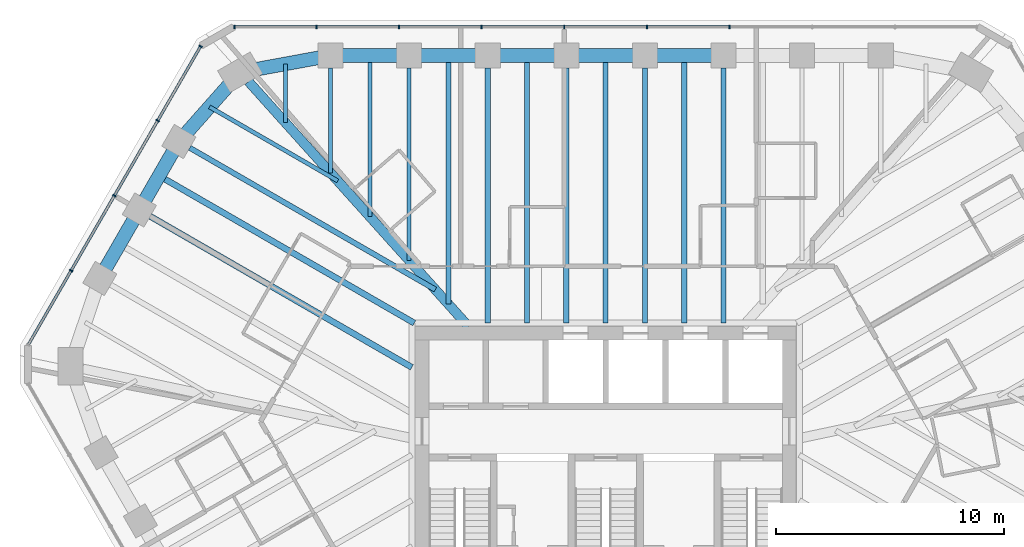
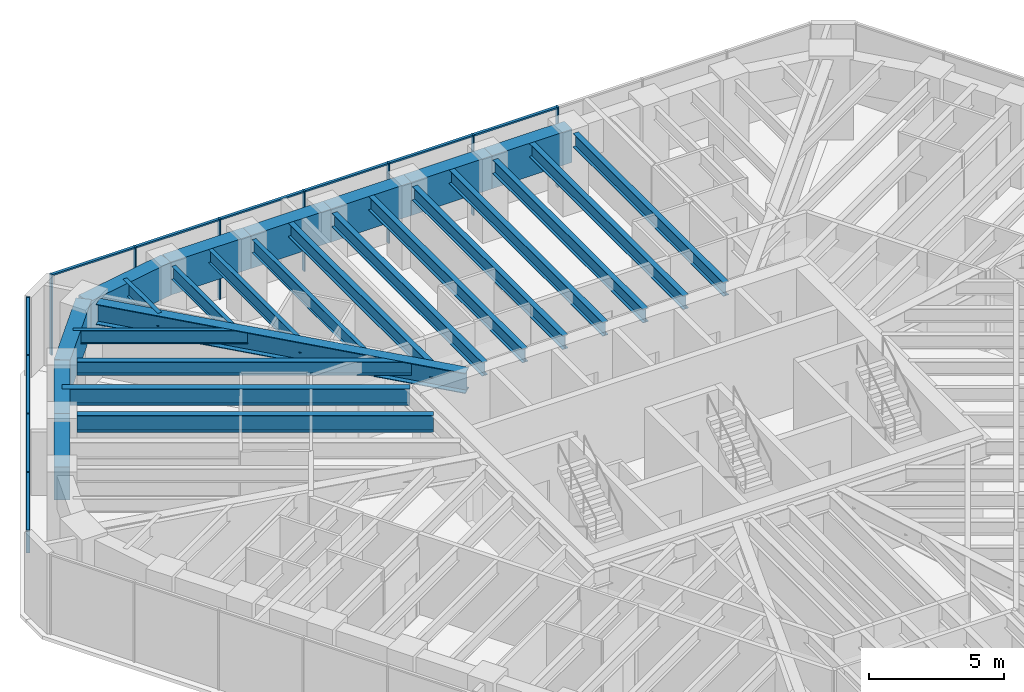
# One storey, part 6 of 14: 26 beams, 21 members, 2 elements without a shape of their own.
"""IFC4 building model written with IfcOpenShell, lengths in metres."""

from ifc_helpers import new_model, si_unit, direction, frame, origin, origin_2d, place, context, subcontext, project, spatial, rectangle, i_section, extrude, material, material_profile, profile_set, type_object, element, aggregate, save


model = new_model("IFC4")

# Units and contexts
model_context = context("Model", 3, precision=1e-05, world=origin(), true_north=direction((0.0, 1.0)))
body_context = subcontext(model_context, "Body", "Model", "MODEL_VIEW")
ifc_project = project(units=[si_unit("LENGTHUNIT", "METRE"), si_unit("AREAUNIT", "SQUARE_METRE"), si_unit("VOLUMEUNIT", "CUBIC_METRE"), si_unit("PLANEANGLEUNIT", "RADIAN"), si_unit("MASSUNIT", "GRAM", prefix="KILO")], contexts=[model_context])

# Site, building, storey
site_placement = place(None, origin())
site = spatial("IfcSite", under=ifc_project, at=site_placement, CompositionType="ELEMENT")
building_placement = place(site_placement, origin())
building = spatial("IfcBuilding", under=site, at=building_placement, Name="Sandreach Pilgrim Tower", CompositionType="ELEMENT")
storey_placement = place(building_placement, frame((0.0, 0.0, 260.800048828125)))
storey = spatial("IfcBuildingStorey", under=building, at=storey_placement, Name="L65", CompositionType="ELEMENT", Elevation=260.800048828125)

# Curtain wall, members
ifc_material_1 = material(Name="Aluminium framed curtain wall", Category="aluminium")
curtain_wall_type = type_object("IfcCurtainWallType", Name="Suite tower curtain wall", PredefinedType="NOTDEFINED", material=ifc_material_1)
curtain_wall_1_placement = place(storey_placement, origin())
curtain_wall_1 = element("IfcCurtainWall", 1, at=curtain_wall_1_placement, inside=storey, type_object=curtain_wall_type, Name="CW-4 L65 N", PredefinedType="NOTDEFINED")
ifc_material_2 = material(Name="Aluminium extrusion", Category="aluminium")
ifc_material_profile_1 = material_profile(ifc_material_2, rectangle(XDim=0.06005859375, YDim=0.159912109375, at=origin_2d()), Name="CW-4M 60X160")
ifc_profile_set_1 = profile_set([ifc_material_profile_1], Name="Aluminium extrusion")
member_type_1 = type_object("IfcMemberType", Name="CW-4 mullion", PredefinedType="MULLION", material=ifc_profile_set_1)
member_1_placement = place(storey_placement, frame((-16.268310546875, 19.826416015625, 0.0), z_axis=(0.0, 0.0, 1.0), x_axis=(1.0, 0.0, 0.0)))
member_1 = element("IfcMember", 2, at=member_1_placement, type_object=member_type_1, Name="CW-4 mullion 1", PredefinedType="MULLION", context=body_context, shape_type="SweptSolid", body=[
    extrude(rectangle(XDim=0.06005859375, YDim=0.159912109375, at=origin_2d()), origin(), (0.0, 0.0, 1.0), 3.639892578125),
])
member_2_placement = place(storey_placement, frame((-12.676513671875, 19.826416015625, 0.0), z_axis=(0.0, 0.0, 1.0), x_axis=(1.0, 0.0, 0.0)))
member_2 = element("IfcMember", 3, at=member_2_placement, type_object=member_type_1, Name="CW-4 mullion 2", PredefinedType="MULLION", context=body_context, shape_type="SweptSolid", body=[
    extrude(rectangle(XDim=0.06005859375, YDim=0.159912109375, at=origin_2d()), origin(), (0.0, 0.0, 1.0), 3.639892578125),
])
member_3_placement = place(storey_placement, frame((-9.0546875, 19.826416015625, 0.0), z_axis=(0.0, 0.0, 1.0), x_axis=(1.0, 0.0, 0.0)))
member_3 = element("IfcMember", 4, at=member_3_placement, type_object=member_type_1, Name="CW-4 mullion 3", PredefinedType="MULLION", context=body_context, shape_type="SweptSolid", body=[
    extrude(rectangle(XDim=0.06005859375, YDim=0.159912109375, at=origin_2d()), origin(), (0.0, 0.0, 1.0), 3.639892578125),
])
member_4_placement = place(storey_placement, frame((-5.432861328125, 19.826416015625, 0.0), z_axis=(0.0, 0.0, 1.0), x_axis=(1.0, 0.0, 0.0)))
member_4 = element("IfcMember", 5, at=member_4_placement, type_object=member_type_1, Name="CW-4 mullion 4", PredefinedType="MULLION", context=body_context, shape_type="SweptSolid", body=[
    extrude(rectangle(XDim=0.06005859375, YDim=0.159912109375, at=origin_2d()), origin(), (0.0, 0.0, 1.0), 3.639892578125),
])
member_5_placement = place(storey_placement, frame((-1.81103515625, 19.826416015625, 0.0), z_axis=(0.0, 0.0, 1.0), x_axis=(1.0, 0.0, 0.0)))
member_5 = element("IfcMember", 6, at=member_5_placement, type_object=member_type_1, Name="CW-4 mullion 5", PredefinedType="MULLION", context=body_context, shape_type="SweptSolid", body=[
    extrude(rectangle(XDim=0.06005859375, YDim=0.159912109375, at=origin_2d()), origin(), (0.0, 0.0, 1.0), 3.639892578125),
])
member_6_placement = place(storey_placement, frame((1.81103515625, 19.826416015625, 0.0), z_axis=(0.0, 0.0, 1.0), x_axis=(1.0, 0.0, 0.0)))
member_6 = element("IfcMember", 7, at=member_6_placement, type_object=member_type_1, Name="CW-4 mullion 6", PredefinedType="MULLION", context=body_context, shape_type="SweptSolid", body=[
    extrude(rectangle(XDim=0.06005859375, YDim=0.159912109375, at=origin_2d()), origin(), (0.0, 0.0, 1.0), 3.639892578125),
])
member_7_placement = place(storey_placement, frame((5.432861328125, 19.826416015625, 0.0), z_axis=(0.0, 0.0, 1.0), x_axis=(1.0, 0.0, 0.0)))
member_7 = element("IfcMember", 8, at=member_7_placement, type_object=member_type_1, Name="CW-4 mullion 7", PredefinedType="MULLION", context=body_context, shape_type="SweptSolid", body=[
    extrude(rectangle(XDim=0.06005859375, YDim=0.159912109375, at=origin_2d()), origin(), (0.0, 0.0, 1.0), 3.639892578125),
])

curtain_wall_2_placement = place(storey_placement, origin())
curtain_wall_2 = element("IfcCurtainWall", 9, at=curtain_wall_2_placement, inside=storey, type_object=curtain_wall_type, Name="CW-4 L65 NW", PredefinedType="NOTDEFINED")
member_8_placement = place(storey_placement, frame((-23.423583984375, 9.145263671875, 0.0), z_axis=(0.0, 0.0, 1.0), x_axis=(0.5, 0.866025403784, 0.0)))
member_8 = element("IfcMember", 10, at=member_8_placement, type_object=member_type_1, Name="CW-4 mullion 2", PredefinedType="MULLION", context=body_context, shape_type="SweptSolid", body=[
    extrude(rectangle(XDim=0.06005859375, YDim=0.159912109375, at=origin_2d()), origin(), (0.0, 0.0, 1.0), 3.639892578125),
])
member_9_placement = place(storey_placement, frame((-21.527587890625, 12.428955078125, 0.0), z_axis=(0.0, 0.0, 1.0), x_axis=(0.5, 0.866025403784, 0.0)))
member_9 = element("IfcMember", 11, at=member_9_placement, type_object=member_type_1, Name="CW-4 mullion 3", PredefinedType="MULLION", context=body_context, shape_type="SweptSolid", body=[
    extrude(rectangle(XDim=0.06005859375, YDim=0.159912109375, at=origin_2d()), origin(), (0.0, 0.0, 1.0), 3.639892578125),
])
member_10_placement = place(storey_placement, frame((-19.6318359375, 15.712646484375, 0.0), z_axis=(0.0, 0.0, 1.0), x_axis=(0.5, 0.866025403784, 0.0)))
member_10 = element("IfcMember", 12, at=member_10_placement, type_object=member_type_1, Name="CW-4 mullion 4", PredefinedType="MULLION", context=body_context, shape_type="SweptSolid", body=[
    extrude(rectangle(XDim=0.06005859375, YDim=0.159912109375, at=origin_2d()), origin(), (0.0, 0.0, 1.0), 3.639892578125),
])
member_11_placement = place(storey_placement, frame((-17.7509765625, 18.970458984375, 0.0), z_axis=(0.0, 0.0, 1.0), x_axis=(0.5, 0.866025403784, 0.0)))
member_11 = element("IfcMember", 13, at=member_11_placement, type_object=member_type_1, Name="CW-4 mullion 5", PredefinedType="MULLION", context=body_context, shape_type="SweptSolid", body=[
    extrude(rectangle(XDim=0.06005859375, YDim=0.159912109375, at=origin_2d()), origin(), (0.0, 0.0, 1.0), 3.639892578125),
])

# Member
ifc_material_3 = material(Name="Aluminium extrusion", Category="aluminium")
ifc_material_profile_2 = material_profile(ifc_material_3, rectangle(XDim=0.1201171875, YDim=0.070068359375, at=origin_2d()), Name="CW-4T 120X70")
ifc_profile_set_2 = profile_set([ifc_material_profile_2], Name="Aluminium extrusion")
member_type_2 = type_object("IfcMemberType", Name="CW-4 transom", PredefinedType="USERDEFINED", material=ifc_profile_set_2)
member_12_placement = place(storey_placement, frame((-16.23828125, 19.826416015625, 3.60498046875), z_axis=(1.0, 0.0, 0.0), x_axis=(0.0, 1.0, 0.0)))
member_12 = element("IfcMember", 14, at=member_12_placement, type_object=member_type_2, Name="CW-4 head transom 1", ObjectType="TRANSOM", PredefinedType="USERDEFINED", context=body_context, shape_type="SweptSolid", body=[
    extrude(rectangle(XDim=0.1201171875, YDim=0.070068359375, at=origin_2d()), origin(), (0.0, 0.0, 1.0), 3.53173828125),
])

member_13_placement = place(storey_placement, frame((-12.646484375, 19.826416015625, 3.60498046875), z_axis=(1.0, 0.0, 0.0), x_axis=(0.0, 1.0, 0.0)))
member_13 = element("IfcMember", 15, at=member_13_placement, type_object=member_type_2, Name="CW-4 head transom 2", ObjectType="TRANSOM", PredefinedType="USERDEFINED", context=body_context, shape_type="SweptSolid", body=[
    extrude(rectangle(XDim=0.1201171875, YDim=0.070068359375, at=origin_2d()), origin(), (0.0, 0.0, 1.0), 3.561767578125),
])

member_14_placement = place(storey_placement, frame((-9.024658203125, 19.826416015625, 3.60498046875), z_axis=(1.0, 0.0, 0.0), x_axis=(0.0, 1.0, 0.0)))
member_14 = element("IfcMember", 16, at=member_14_placement, type_object=member_type_2, Name="CW-4 head transom 3", ObjectType="TRANSOM", PredefinedType="USERDEFINED", context=body_context, shape_type="SweptSolid", body=[
    extrude(rectangle(XDim=0.1201171875, YDim=0.070068359375, at=origin_2d()), origin(), (0.0, 0.0, 1.0), 3.561767578125),
])

member_15_placement = place(storey_placement, frame((-5.40283203125, 19.826416015625, 3.60498046875), z_axis=(1.0, 0.0, 0.0), x_axis=(0.0, 1.0, 0.0)))
member_15 = element("IfcMember", 17, at=member_15_placement, type_object=member_type_2, Name="CW-4 head transom 4", ObjectType="TRANSOM", PredefinedType="USERDEFINED", context=body_context, shape_type="SweptSolid", body=[
    extrude(rectangle(XDim=0.1201171875, YDim=0.070068359375, at=origin_2d()), origin(), (0.0, 0.0, 1.0), 3.56201171875),
])

member_16_placement = place(storey_placement, frame((-1.781005859375, 19.826416015625, 3.60498046875), z_axis=(1.0, 0.0, 0.0), x_axis=(0.0, 1.0, 0.0)))
member_16 = element("IfcMember", 18, at=member_16_placement, type_object=member_type_2, Name="CW-4 head transom 5", ObjectType="TRANSOM", PredefinedType="USERDEFINED", context=body_context, shape_type="SweptSolid", body=[
    extrude(rectangle(XDim=0.1201171875, YDim=0.070068359375, at=origin_2d()), origin(), (0.0, 0.0, 1.0), 3.56201171875),
])

member_17_placement = place(storey_placement, frame((1.8408203125, 19.826416015625, 3.60498046875), z_axis=(1.0, 0.0, 0.0), x_axis=(0.0, 1.0, 0.0)))
member_17 = element("IfcMember", 19, at=member_17_placement, type_object=member_type_2, Name="CW-4 head transom 6", ObjectType="TRANSOM", PredefinedType="USERDEFINED", context=body_context, shape_type="SweptSolid", body=[
    extrude(rectangle(XDim=0.1201171875, YDim=0.070068359375, at=origin_2d()), origin(), (0.0, 0.0, 1.0), 3.56201171875),
])

aggregate(curtain_wall_1, [member_1, member_2, member_3, member_4, member_5, member_6, member_7, member_12, member_13, member_14, member_15, member_16, member_17])

member_18_placement = place(storey_placement, frame((-25.289306640625, 5.91357421875, 3.60498046875), z_axis=(0.499990780478, 0.866030726613, 0.0), x_axis=(-0.866030726613, 0.499990780478, 0.0)))
member_18 = element("IfcMember", 20, at=member_18_placement, type_object=member_type_2, Name="CW-4 head transom 1", ObjectType="TRANSOM", PredefinedType="USERDEFINED", context=body_context, shape_type="SweptSolid", body=[
    extrude(rectangle(XDim=0.1201171875, YDim=0.070068359375, at=origin_2d()), origin(), (0.0, 0.0, 1.0), 3.70166015625),
])

member_19_placement = place(storey_placement, frame((-23.408447265625, 9.17138671875, 3.60498046875), z_axis=(0.499981083104, 0.866036325184, 0.0), x_axis=(-0.866036325184, 0.499981083104, 0.0)))
member_19 = element("IfcMember", 21, at=member_19_placement, type_object=member_type_2, Name="CW-4 head transom 2", ObjectType="TRANSOM", PredefinedType="USERDEFINED", context=body_context, shape_type="SweptSolid", body=[
    extrude(rectangle(XDim=0.1201171875, YDim=0.070068359375, at=origin_2d()), origin(), (0.0, 0.0, 1.0), 3.731689453125),
])

member_20_placement = place(storey_placement, frame((-21.5126953125, 12.455078125, 3.60498046875), z_axis=(0.500030151002, 0.866007995396, 0.0), x_axis=(-0.866007995396, 0.500030151002, 0.0)))
member_20 = element("IfcMember", 22, at=member_20_placement, type_object=member_type_2, Name="CW-4 head transom 3", ObjectType="TRANSOM", PredefinedType="USERDEFINED", context=body_context, shape_type="SweptSolid", body=[
    extrude(rectangle(XDim=0.1201171875, YDim=0.070068359375, at=origin_2d()), origin(), (0.0, 0.0, 1.0), 3.731689453125),
])

member_21_placement = place(storey_placement, frame((-19.616943359375, 15.73876953125, 3.60498046875), z_axis=(0.499990780478, 0.866030726613, 0.0), x_axis=(-0.866030726613, 0.499990780478, 0.0)))
member_21 = element("IfcMember", 23, at=member_21_placement, type_object=member_type_2, Name="CW-4 head transom 4", ObjectType="TRANSOM", PredefinedType="USERDEFINED", context=body_context, shape_type="SweptSolid", body=[
    extrude(rectangle(XDim=0.1201171875, YDim=0.070068359375, at=origin_2d()), origin(), (0.0, 0.0, 1.0), 3.70166015625),
])

aggregate(curtain_wall_2, [member_8, member_9, member_10, member_11, member_18, member_19, member_20, member_21])

# Beams
ifc_material_4 = material(Name="Steel ASTM A992 Grade 50", Category="steel")
ifc_material_profile_3 = material_profile(ifc_material_4, i_section(OverallWidth=0.419189453125, OverallDepth=0.927001953125, WebThickness=0.019287109375, FlangeThickness=0.031982421875, at=origin_2d()), Name="W36X231")
ifc_profile_set_3 = profile_set([ifc_material_profile_3], Name="Steel ASTM A992 Grade 50")
beam_type_1 = type_object("IfcBeamType", Name="Corner girder W36X231", PredefinedType="BEAM", material=ifc_profile_set_3)
beam_1_placement = place(storey_placement, frame((-15.649169921875, 17.427978515625, 3.176513671875), z_axis=(0.668114851597, -0.74405815974, 0.0), x_axis=(0.74405815974, 0.668114851597, 0.0)))
element("IfcBeam", 24, at=beam_1_placement, inside=storey, type_object=beam_type_1, Name="BM L65 CG39", PredefinedType="BEAM", context=body_context, shape_type="SweptSolid", body=[
    extrude(i_section(OverallWidth=0.419189453125, OverallDepth=0.927001953125, WebThickness=0.019287109375, FlangeThickness=0.031982421875, at=origin_2d()), origin(), (0.0, 0.0, 1.0), 14.418212890625),
])
ifc_material_5 = material(Name="Steel ASTM A992 Grade 50", Category="steel")
ifc_material_profile_4 = material_profile(ifc_material_5, i_section(OverallWidth=0.1787109375, OverallDepth=0.60205078125, WebThickness=0.010986328125, FlangeThickness=0.014892578125, at=origin_2d()), Name="W24X62")
ifc_profile_set_4 = profile_set([ifc_material_profile_4], Name="Steel ASTM A992 Grade 50")
beam_type_2 = type_object("IfcBeamType", Name="Floor beam W24X62", PredefinedType="BEAM", material=ifc_profile_set_4)
beam_2_placement = place(storey_placement, frame((-12.0576171875, 18.016357421875, 3.3388671875), z_axis=(0.0, -1.0, 0.0), x_axis=(1.0, 0.0, 0.0)))
element("IfcBeam", 25, at=beam_2_placement, inside=storey, type_object=beam_type_2, Name="BM L65 F01", PredefinedType="BEAM", context=body_context, shape_type="SweptSolid", body=[
    extrude(i_section(OverallWidth=0.1787109375, OverallDepth=0.60205078125, WebThickness=0.010986328125, FlangeThickness=0.014892578125, at=origin_2d()), origin(), (0.0, 0.0, 1.0), 4.58837890625),
])
beam_3_placement = place(storey_placement, frame((-8.612548828125, 18.016357421875, 3.3388671875), z_axis=(0.0, -1.0, 0.0), x_axis=(1.0, 0.0, 0.0)))
element("IfcBeam", 26, at=beam_3_placement, inside=storey, type_object=beam_type_2, Name="BM L65 F02", PredefinedType="BEAM", context=body_context, shape_type="SweptSolid", body=[
    extrude(i_section(OverallWidth=0.1787109375, OverallDepth=0.60205078125, WebThickness=0.010986328125, FlangeThickness=0.014892578125, at=origin_2d()), origin(), (0.0, 0.0, 1.0), 8.4248046875),
])
beam_4_placement = place(storey_placement, frame((-10.3349609375, 18.56640625, 3.3388671875), z_axis=(0.0, -1.0, 0.0), x_axis=(1.0, 0.0, 0.0)))
element("IfcBeam", 27, at=beam_4_placement, inside=storey, type_object=beam_type_2, Name="BM L65 FM01", PredefinedType="BEAM", context=body_context, shape_type="SweptSolid", body=[
    extrude(i_section(OverallWidth=0.1787109375, OverallDepth=0.60205078125, WebThickness=0.010986328125, FlangeThickness=0.014892578125, at=origin_2d()), origin(), (0.0, 0.0, 1.0), 7.056640625),
])
beam_5_placement = place(storey_placement, frame((-17.360107421875, 16.31884765625, 3.3388671875), z_axis=(0.866023980233, -0.500002465655, 0.0), x_axis=(0.500002465655, 0.866023980233, 0.0)))
element("IfcBeam", 28, at=beam_5_placement, inside=storey, type_object=beam_type_2, Name="BM L65 FM38", PredefinedType="BEAM", context=body_context, shape_type="SweptSolid", body=[
    extrude(i_section(OverallWidth=0.1787109375, OverallDepth=0.60205078125, WebThickness=0.010986328125, FlangeThickness=0.014892578125, at=origin_2d()), origin(), (0.0, 0.0, 1.0), 6.49072265625),
])
beam_6_placement = place(storey_placement, frame((-14.037109375, 18.201904296875, 3.3388671875), z_axis=(0.0, -1.0, 0.0), x_axis=(1.0, 0.0, 0.0)))
element("IfcBeam", 29, at=beam_6_placement, inside=storey, type_object=beam_type_2, Name="BM L65 FM39", PredefinedType="BEAM", context=body_context, shape_type="SweptSolid", body=[
    extrude(i_section(OverallWidth=0.1787109375, OverallDepth=0.60205078125, WebThickness=0.010986328125, FlangeThickness=0.014892578125, at=origin_2d()), origin(), (0.0, 0.0, 1.0), 2.5693359375),
])
ifc_material_6 = material(Name="Steel ASTM A992 Grade 50", Category="steel")
ifc_material_profile_5 = material_profile(ifc_material_6, i_section(OverallWidth=0.23046875, OverallDepth=0.6171875, WebThickness=0.01318359375, FlangeThickness=0.022216796875, at=origin_2d()), Name="W24X94")
ifc_profile_set_5 = profile_set([ifc_material_profile_5], Name="Steel ASTM A992 Grade 50")
beam_type_3 = type_object("IfcBeamType", Name="Floor beam W24X94", PredefinedType="BEAM", material=ifc_profile_set_5)
for number, where, z_axis, x_axis, name in (
    (30, (-5.16748046875, 18.016357421875, 3.331298828125), (0.0, -1.0, 0.0), (1.0, 0.0, 0.0), "BM L65 F03"),
    (31, (-1.722412109375, 18.016357421875, 3.331298828125), (0.0, -1.0, 0.0), (1.0, 0.0, 0.0), "BM L65 F04"),
    (32, (1.722412109375, 18.016357421875, 3.331298828125), (0.0, -1.0, 0.0), (1.0, 0.0, 0.0), "BM L65 F05"),
    (33, (5.16748046875, 18.016357421875, 3.331298828125), (0.0, -1.0, 0.0), (1.0, 0.0, 0.0), "BM L65 F06"),
):
    element("IfcBeam", number, at=place(storey_placement, frame(where, z_axis=z_axis, x_axis=x_axis)), inside=storey, type_object=beam_type_3, Name=name, PredefinedType="BEAM", context=body_context, shape_type="SweptSolid", body=[
        extrude(i_section(OverallWidth=0.23046875, OverallDepth=0.6171875, WebThickness=0.01318359375, FlangeThickness=0.022216796875, at=origin_2d()), origin(), (0.0, 0.0, 1.0), 11.173095703125),
    ])
beam_7_placement = place(storey_placement, frame((-18.227294921875, 14.525390625, 3.331298828125), z_axis=(0.866020427415, -0.500008619226, 0.0), x_axis=(0.500008619226, 0.866020427415, 0.0)))
element("IfcBeam", 34, at=beam_7_placement, inside=storey, type_object=beam_type_3, Name="BM L65 F38", PredefinedType="BEAM", context=body_context, shape_type="SweptSolid", body=[
    extrude(i_section(OverallWidth=0.23046875, OverallDepth=0.6171875, WebThickness=0.01318359375, FlangeThickness=0.022216796875, at=origin_2d()), origin(), (0.0, 0.0, 1.0), 12.431396484375),
])
beam_8_placement = place(storey_placement, frame((-6.89013671875, 18.56640625, 3.331298828125), z_axis=(0.0, -1.0, 0.0), x_axis=(1.0, 0.0, 0.0)))
element("IfcBeam", 35, at=beam_8_placement, inside=storey, type_object=beam_type_3, Name="BM L65 FM02", PredefinedType="BEAM", context=body_context, shape_type="SweptSolid", body=[
    extrude(i_section(OverallWidth=0.23046875, OverallDepth=0.6171875, WebThickness=0.01318359375, FlangeThickness=0.022216796875, at=origin_2d()), origin(), (0.0, 0.0, 1.0), 10.893310546875),
])
for number, where, z_axis, x_axis, name in (
    (36, (-3.445068359375, 18.56640625, 3.331298828125), (0.0, -1.0, 0.0), (1.0, 0.0, 0.0), "BM L65 FM03"),
    (37, (0.0, 18.56640625, 3.331298828125), (0.0, -1.0, 0.0), (1.0, 0.0, 0.0), "BM L65 FM04"),
    (38, (3.445068359375, 18.56640625, 3.331298828125), (0.0, -1.0, 0.0), (1.0, 0.0, 0.0), "BM L65 FM05"),
):
    element("IfcBeam", number, at=place(storey_placement, frame(where, z_axis=z_axis, x_axis=x_axis)), inside=storey, type_object=beam_type_3, Name=name, PredefinedType="BEAM", context=body_context, shape_type="SweptSolid", body=[
        extrude(i_section(OverallWidth=0.23046875, OverallDepth=0.6171875, WebThickness=0.01318359375, FlangeThickness=0.022216796875, at=origin_2d()), origin(), (0.0, 0.0, 1.0), 11.72314453125),
    ])
ifc_material_7 = material(Name="Steel ASTM A992 Grade 50", Category="steel")
ifc_material_profile_6 = material_profile(ifc_material_7, i_section(OverallWidth=0.2666015625, OverallDepth=0.761962890625, WebThickness=0.014404296875, FlangeThickness=0.021484375, at=origin_2d()), Name="W30X116")
ifc_profile_set_6 = profile_set([ifc_material_profile_6], Name="Steel ASTM A992 Grade 50")
beam_type_4 = type_object("IfcBeamType", Name="Floor beam W30X116", PredefinedType="BEAM", material=ifc_profile_set_6)
beam_9_placement = place(storey_placement, frame((-19.960205078125, 11.52392578125, 3.259033203125), z_axis=(0.86602530353, -0.500000173646, 0.0), x_axis=(0.500000173646, 0.86602530353, 0.0)))
element("IfcBeam", 39, at=beam_9_placement, inside=storey, type_object=beam_type_4, Name="BM L65 F37", PredefinedType="BEAM", context=body_context, shape_type="SweptSolid", body=[
    extrude(i_section(OverallWidth=0.2666015625, OverallDepth=0.761962890625, WebThickness=0.014404296875, FlangeThickness=0.021484375, at=origin_2d()), origin(), (0.0, 0.0, 1.0), 13.24072265625),
])
beam_10_placement = place(storey_placement, frame((-19.570068359375, 13.299560546875, 3.259033203125), z_axis=(0.866025008595, -0.500000684488, 0.0), x_axis=(0.500000684488, 0.866025008595, 0.0)))
element("IfcBeam", 40, at=beam_10_placement, inside=storey, type_object=beam_type_4, Name="BM L65 FM37", PredefinedType="BEAM", context=body_context, shape_type="SweptSolid", body=[
    extrude(i_section(OverallWidth=0.2666015625, OverallDepth=0.761962890625, WebThickness=0.014404296875, FlangeThickness=0.021484375, at=origin_2d()), origin(), (0.0, 0.0, 1.0), 12.91259765625),
])
ifc_material_8 = material(Name="Concrete 10000 psi", Category="concrete")
ifc_material_profile_7 = material_profile(ifc_material_8, rectangle(XDim=0.60009765625, YDim=1.5, at=origin_2d()), Name="RC600X1500")
ifc_profile_set_7 = profile_set([ifc_material_profile_7], Name="Concrete 10000 psi")
beam_type_5 = type_object("IfcBeamType", Name="Spandrel beam RC600X1500", PredefinedType="SPANDREL", material=ifc_profile_set_7)
for number, where, z_axis, x_axis, name in (
    (41, (-12.0576171875, 18.56640625, 2.889892578125), (1.0, 0.0, 0.0), (0.0, 1.0, 0.0), "BM L65 SP01"),
    (42, (-8.612548828125, 18.56640625, 2.889892578125), (1.0, 0.0, 0.0), (0.0, 1.0, 0.0), "BM L65 SP02"),
    (43, (-5.16748046875, 18.56640625, 2.889892578125), (1.0, 0.0, 0.0), (0.0, 1.0, 0.0), "BM L65 SP03"),
):
    element("IfcBeam", number, at=place(storey_placement, frame(where, z_axis=z_axis, x_axis=x_axis)), inside=storey, type_object=beam_type_5, Name=name, PredefinedType="SPANDREL", context=body_context, shape_type="SweptSolid", body=[
        extrude(rectangle(XDim=0.60009765625, YDim=1.5, at=origin_2d()), origin(), (0.0, 0.0, 1.0), 3.445068359375),
    ])
beam_11_placement = place(storey_placement, frame((-1.722412109375, 18.56640625, 2.889892578125), z_axis=(1.0, 0.0, 0.0), x_axis=(0.0, 1.0, 0.0)))
element("IfcBeam", 44, at=beam_11_placement, inside=storey, type_object=beam_type_5, Name="BM L65 SP04", PredefinedType="SPANDREL", context=body_context, shape_type="SweptSolid", body=[
    extrude(rectangle(XDim=0.60009765625, YDim=1.5, at=origin_2d()), origin(), (0.0, 0.0, 1.0), 3.44482421875),
])
beam_12_placement = place(storey_placement, frame((1.722412109375, 18.56640625, 2.889892578125), z_axis=(1.0, 0.0, 0.0), x_axis=(0.0, 1.0, 0.0)))
element("IfcBeam", 45, at=beam_12_placement, inside=storey, type_object=beam_type_5, Name="BM L65 SP05", PredefinedType="SPANDREL", context=body_context, shape_type="SweptSolid", body=[
    extrude(rectangle(XDim=0.60009765625, YDim=1.5, at=origin_2d()), origin(), (0.0, 0.0, 1.0), 3.445068359375),
])
for number, where, z_axis, x_axis, name in (
    (46, (-22.169189453125, 8.7978515625, 2.889892578125), (0.499980616072, 0.866036594811, 0.0), (-0.866036594811, 0.499980616072, 0.0), "BM L65 SP36"),
    (47, (-20.4365234375, 11.799072265625, 2.889892578125), (0.500033451825, 0.866006089503, 0.0), (-0.866006089503, 0.500033451825, 0.0), "BM L65 SP37"),
):
    element("IfcBeam", number, at=place(storey_placement, frame(where, z_axis=z_axis, x_axis=x_axis)), inside=storey, type_object=beam_type_5, Name=name, PredefinedType="SPANDREL", context=body_context, shape_type="SweptSolid", body=[
        extrude(rectangle(XDim=0.60009765625, YDim=1.5, at=origin_2d()), origin(), (0.0, 0.0, 1.0), 3.465576171875),
    ])
beam_13_placement = place(storey_placement, frame((-18.70361328125, 14.80029296875, 2.889892578125), z_axis=(0.662650525414, 0.748928755736, 0.0), x_axis=(-0.748928755736, 0.662650525414, 0.0)))
element("IfcBeam", 48, at=beam_13_placement, inside=storey, type_object=beam_type_5, Name="BM L65 SP38", PredefinedType="SPANDREL", context=body_context, shape_type="SweptSolid", body=[
    extrude(rectangle(XDim=0.60009765625, YDim=1.5, at=origin_2d()), origin(), (0.0, 0.0, 1.0), 4.054931640625),
])
beam_14_placement = place(storey_placement, frame((-16.0166015625, 17.837158203125, 2.889892578125), z_axis=(0.983454894629, 0.181153167875, 0.0), x_axis=(-0.181153167875, 0.983454894629, 0.0)))
element("IfcBeam", 49, at=beam_14_placement, inside=storey, type_object=beam_type_5, Name="BM L65 SP39", PredefinedType="SPANDREL", context=body_context, shape_type="SweptSolid", body=[
    extrude(rectangle(XDim=0.60009765625, YDim=1.5, at=origin_2d()), origin(), (0.0, 0.0, 1.0), 4.025634765625),
])

save(model, "model.ifc")
